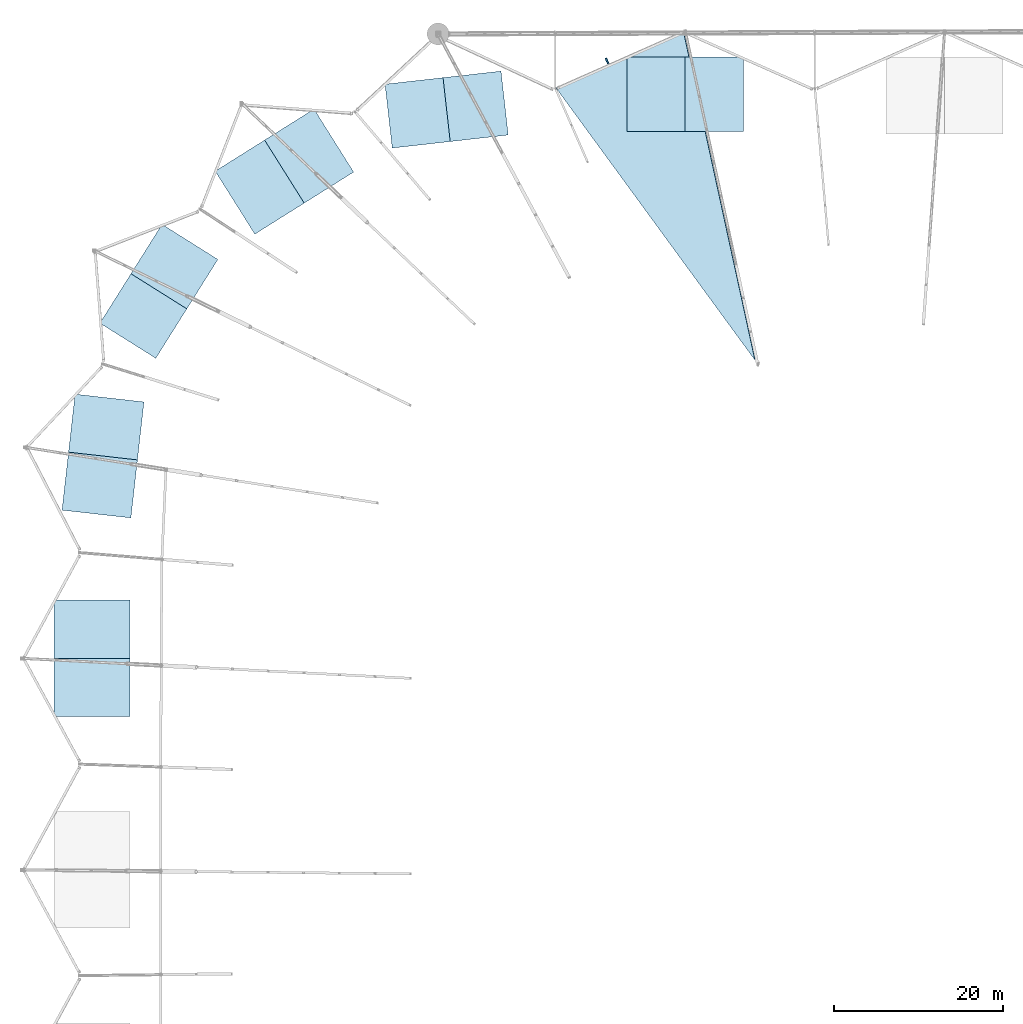
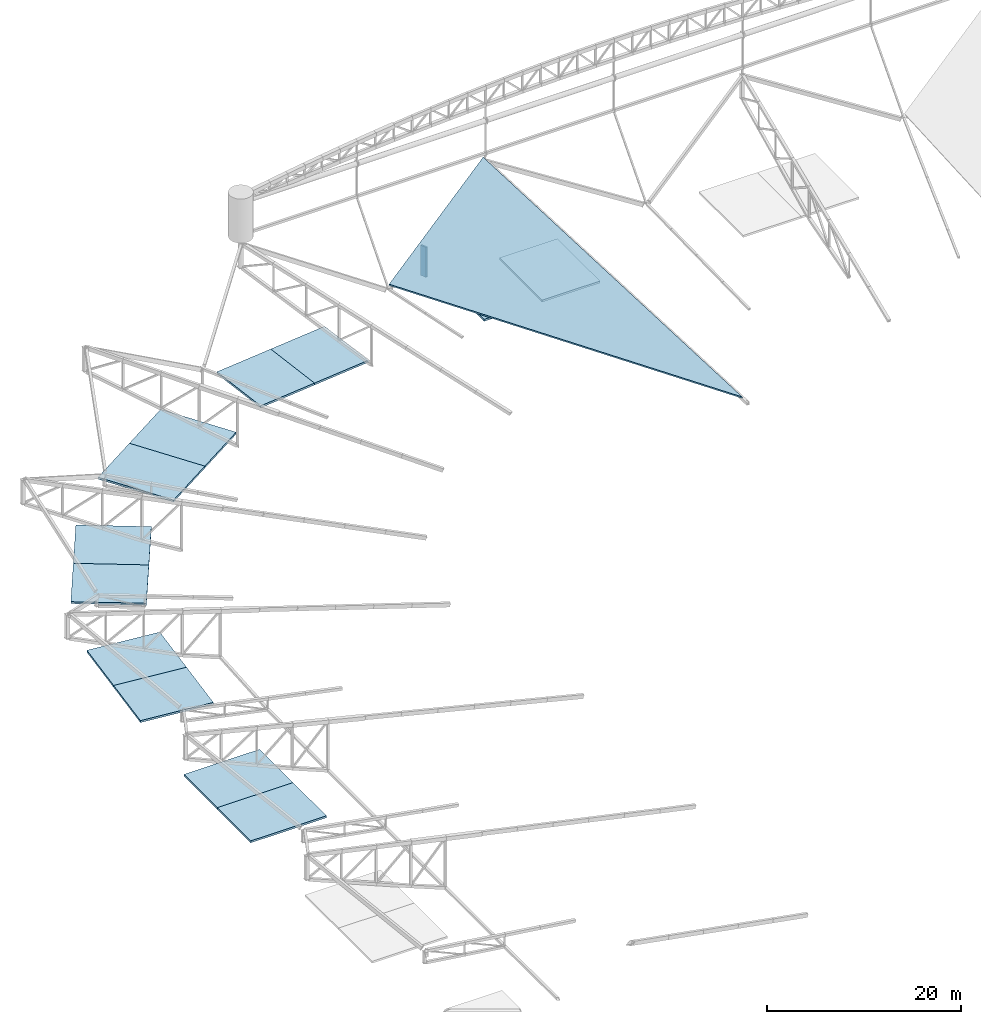
# One storey, part 118 of 188: 13 slabs, 1 plate.
"""IFC4 building model written with IfcOpenShell, lengths in metres."""

from ifc_helpers import new_model, si_unit, direction, frame, origin, origin_2d, place, context, subcontext, project, spatial, polyline, rectangle, outline, extrude, material, layer, layer_set, type_object, element, save


model = new_model("IFC4")

# Units and contexts
model_context = context("Model", 3, precision=1e-05, world=origin(), true_north=direction((0.0, 1.0)))
body_context = subcontext(model_context, "Body", "Model", "MODEL_VIEW")
ifc_project = project(units=[si_unit("LENGTHUNIT", "METRE"), si_unit("AREAUNIT", "SQUARE_METRE"), si_unit("VOLUMEUNIT", "CUBIC_METRE"), si_unit("PLANEANGLEUNIT", "RADIAN"), si_unit("MASSUNIT", "GRAM", prefix="KILO")], contexts=[model_context])

# Site, building, storey
site_placement = place(None, origin())
site = spatial("IfcSite", under=ifc_project, at=site_placement, CompositionType="ELEMENT")
building_placement = place(site_placement, origin())
building = spatial("IfcBuilding", under=site, at=building_placement, Name="Meseta Stadium", CompositionType="ELEMENT")
storey_placement = place(building_placement, frame((0.0, 0.0, 30.0)))
storey = spatial("IfcBuildingStorey", under=building, at=storey_placement, Name="ROOF", CompositionType="ELEMENT", Elevation=30.0)

# Slabs
ifc_material_1 = material(Name="Concrete C40/50", Category="concrete")
ifc_layer_1 = layer(ifc_material_1, 0.25)
ifc_layer_set_1 = layer_set([ifc_layer_1], Name="Core roof slab 250")
slab_type_1 = type_object("IfcSlabType", Name="Core roof slab 250", PredefinedType="ROOF", material=ifc_layer_set_1)
slab_1_placement = place(storey_placement, frame((0.0, 0.0, -0.25)))
element("IfcSlab", 1, at=slab_1_placement, inside=storey, type_object=slab_type_1, Name="Core 11 stair A roof", PredefinedType="ROOF", context=body_context, shape_type="SweptSolid", body=[
    extrude(outline(polyline([(-16.10009765625, 102.300048828125), (-16.10009765625, 93.5), (-23.0, 93.5), (-23.0, 102.300048828125), (-16.10009765625, 102.300048828125)])), origin(), (0.0, 0.0, 1.0), 0.25),
])
slab_2_placement = place(storey_placement, frame((0.0, 0.0, -0.25)))
element("IfcSlab", 2, at=slab_2_placement, inside=storey, type_object=slab_type_1, Name="Core 11 stair B roof", PredefinedType="ROOF", context=body_context, shape_type="SweptSolid", body=[
    extrude(outline(polyline([(-23.0, 102.300048828125), (-23.0, 93.5), (-29.89990234375, 93.5), (-29.89990234375, 102.300048828125), (-23.0, 102.300048828125)])), origin(), (0.0, 0.0, 1.0), 0.25),
])
slab_3_placement = place(storey_placement, frame((0.0, 0.0, -0.25)))
element("IfcSlab", 3, at=slab_3_placement, inside=storey, type_object=slab_type_1, Name="Core 12 stair A roof", PredefinedType="ROOF", context=body_context, shape_type="SweptSolid", body=[
    extrude(outline(polyline([(-44.763916015625, 100.656982421875), (-43.9130859375, 93.104736328125), (-50.769775390625, 92.33203125), (-51.62060546875, 99.884521484375), (-44.763916015625, 100.656982421875)])), origin(), (0.0, 0.0, 1.0), 0.25),
])
slab_4_placement = place(storey_placement, frame((0.0, 0.0, -0.25)))
element("IfcSlab", 4, at=slab_4_placement, inside=storey, type_object=slab_type_1, Name="Core 12 stair B roof", PredefinedType="ROOF", context=body_context, shape_type="SweptSolid", body=[
    extrude(outline(polyline([(-51.62060546875, 99.884521484375), (-50.769775390625, 92.33203125), (-57.626220703125, 91.5595703125), (-58.477294921875, 99.11181640625), (-51.62060546875, 99.884521484375)])), origin(), (0.0, 0.0, 1.0), 0.25),
])
slab_5_placement = place(storey_placement, frame((0.0, 0.0, -0.25)))
element("IfcSlab", 5, at=slab_5_placement, inside=storey, type_object=slab_type_1, Name="Core 13 stair A roof", PredefinedType="ROOF", context=body_context, shape_type="SweptSolid", body=[
    extrude(outline(polyline([(-66.865478515625, 96.176513671875), (-62.18359375, 88.725341796875), (-68.026123046875, 85.054443359375), (-72.7080078125, 92.505615234375), (-66.865478515625, 96.176513671875)])), origin(), (0.0, 0.0, 1.0), 0.25),
])
slab_6_placement = place(storey_placement, frame((0.0, 0.0, -0.25)))
element("IfcSlab", 6, at=slab_6_placement, inside=storey, type_object=slab_type_1, Name="Core 13 stair B roof", PredefinedType="ROOF", context=body_context, shape_type="SweptSolid", body=[
    extrude(outline(polyline([(-72.7080078125, 92.505615234375), (-68.026123046875, 85.054443359375), (-73.868408203125, 81.38330078125), (-78.55029296875, 88.83447265625), (-72.7080078125, 92.505615234375)])), origin(), (0.0, 0.0, 1.0), 0.25),
])
slab_7_placement = place(storey_placement, frame((0.0, 0.0, -0.25)))
element("IfcSlab", 7, at=slab_7_placement, inside=storey, type_object=slab_type_1, Name="Core 14 stair A roof", PredefinedType="ROOF", context=body_context, shape_type="SweptSolid", body=[
    extrude(outline(polyline([(-84.83447265625, 82.55029296875), (-78.22998046875, 78.400634765625), (-81.901123046875, 72.55810546875), (-88.505615234375, 76.7080078125), (-84.83447265625, 82.55029296875)])), origin(), (0.0, 0.0, 1.0), 0.25),
])
slab_8_placement = place(storey_placement, frame((0.0, 0.0, -0.25)))
element("IfcSlab", 8, at=slab_8_placement, inside=storey, type_object=slab_type_1, Name="Core 14 stair B roof", PredefinedType="ROOF", context=body_context, shape_type="SweptSolid", body=[
    extrude(outline(polyline([(-88.505615234375, 76.7080078125), (-81.901123046875, 72.55810546875), (-85.572021484375, 66.7158203125), (-92.176513671875, 70.865478515625), (-88.505615234375, 76.7080078125)])), origin(), (0.0, 0.0, 1.0), 0.25),
])
slab_9_placement = place(storey_placement, frame((0.0, 0.0, -0.25)))
element("IfcSlab", 9, at=slab_9_placement, inside=storey, type_object=slab_type_1, Name="Core 15 stair A roof", PredefinedType="ROOF", context=body_context, shape_type="SweptSolid", body=[
    extrude(outline(polyline([(-95.11181640625, 62.477294921875), (-86.96337890625, 61.55908203125), (-87.73583984375, 54.702392578125), (-95.884521484375, 55.62060546875), (-95.11181640625, 62.477294921875)])), origin(), (0.0, 0.0, 1.0), 0.25),
])
slab_10_placement = place(storey_placement, frame((0.0, 0.0, -0.25)))
element("IfcSlab", 10, at=slab_10_placement, inside=storey, type_object=slab_type_1, Name="Core 15 stair B roof", PredefinedType="ROOF", context=body_context, shape_type="SweptSolid", body=[
    extrude(outline(polyline([(-95.884521484375, 55.62060546875), (-87.73583984375, 54.702392578125), (-88.508544921875, 47.845947265625), (-96.656982421875, 48.763916015625), (-95.884521484375, 55.62060546875)])), origin(), (0.0, 0.0, 1.0), 0.25),
])
slab_11_placement = place(storey_placement, frame((0.0, 0.0, -0.25)))
element("IfcSlab", 11, at=slab_11_placement, inside=storey, type_object=slab_type_1, Name="Core 16 stair A roof", PredefinedType="ROOF", context=body_context, shape_type="SweptSolid", body=[
    extrude(outline(polyline([(-97.60009765625, 38.14990234375), (-88.60009765625, 38.14990234375), (-88.60009765625, 31.25), (-97.60009765625, 31.25), (-97.60009765625, 38.14990234375)])), origin(), (0.0, 0.0, 1.0), 0.25),
])
slab_12_placement = place(storey_placement, frame((0.0, 0.0, -0.25)))
element("IfcSlab", 12, at=slab_12_placement, inside=storey, type_object=slab_type_1, Name="Core 16 stair B roof", PredefinedType="ROOF", context=body_context, shape_type="SweptSolid", body=[
    extrude(outline(polyline([(-97.60009765625, 31.25), (-88.60009765625, 31.25), (-88.60009765625, 24.35009765625), (-97.60009765625, 24.35009765625), (-97.60009765625, 31.25)])), origin(), (0.0, 0.0, 1.0), 0.25),
])

# Plate
ifc_material_2 = material(Name="Precast concrete C40/50, terracotta pigment", Category="masonry")
ifc_layer_2 = layer(ifc_material_2, 0.199951171875)
ifc_layer_set_2 = layer_set([ifc_layer_2], Name="Precast concrete C40/50, terracotta pigment")
plate_type = type_object("IfcPlateType", Name="Precast fin 200x700", PredefinedType="USERDEFINED", material=ifc_layer_set_2)
plate_placement = place(storey_placement, frame((-32.232421875, 101.863525390625, 1.2001953125), z_axis=(0.0, 0.0, 1.0), x_axis=(0.914139367606, 0.405400069798, 0.0)))
element("IfcPlate", 13, at=plate_placement, inside=storey, type_object=plate_type, Name="Precast fin L04 F20.3", ObjectType="FIN", PredefinedType="USERDEFINED", context=body_context, shape_type="SweptSolid", body=[
    extrude(rectangle(XDim=0.199951171875, YDim=0.699951171875, at=origin_2d()), origin(), (0.0, 0.0, 1.0), 3.800048828125),
])

# Slab
ifc_material_3 = material(Name="Precast concrete C40/50", Category="concrete")
ifc_layer_3 = layer(ifc_material_3, 0.300048828125)
ifc_layer_set_3 = layer_set([ifc_layer_3], Name="Roof plate 300")
slab_type_2 = type_object("IfcSlabType", Name="Roof plate 300", PredefinedType="ROOF", material=ifc_layer_set_3)
slab_13_placement = place(storey_placement, frame((-23.197998046875, 105.312255859375, 10.912109375), z_axis=(-0.278903931921, -0.287404585009, 0.916303007348), x_axis=(0.206703313763, -0.949766345631, -0.234984316045)))
element("IfcSlab", 14, at=slab_13_placement, inside=storey, type_object=slab_type_2, Name="Roof panel RP-20 B", PredefinedType="ROOF", context=body_context, shape_type="SweptSolid", body=[
    extrude(outline(polyline([(0.0, 0.0), (40.88433601052719, 4.440892098500626e-16), (4.79636796172818, -17.104480696142243), (0.0, 0.0)])), origin(), (0.0, 0.0, -1.0), 0.300048828125),
])

save(model, "model.ifc")
